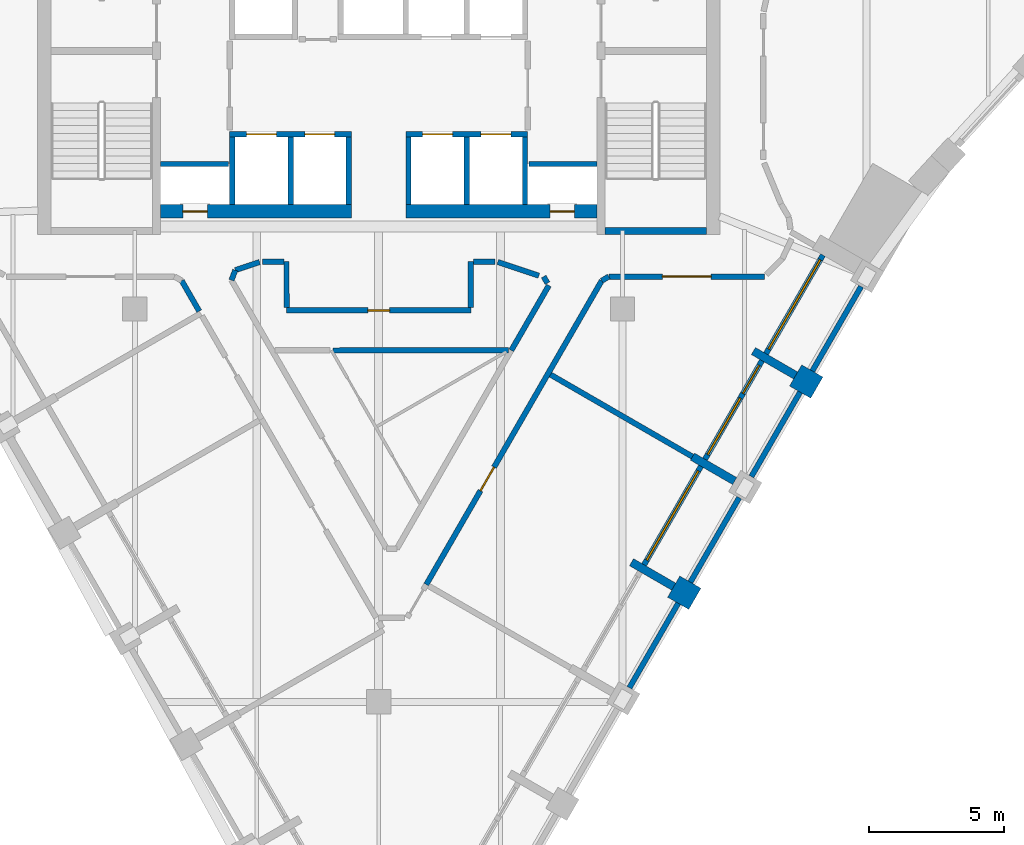
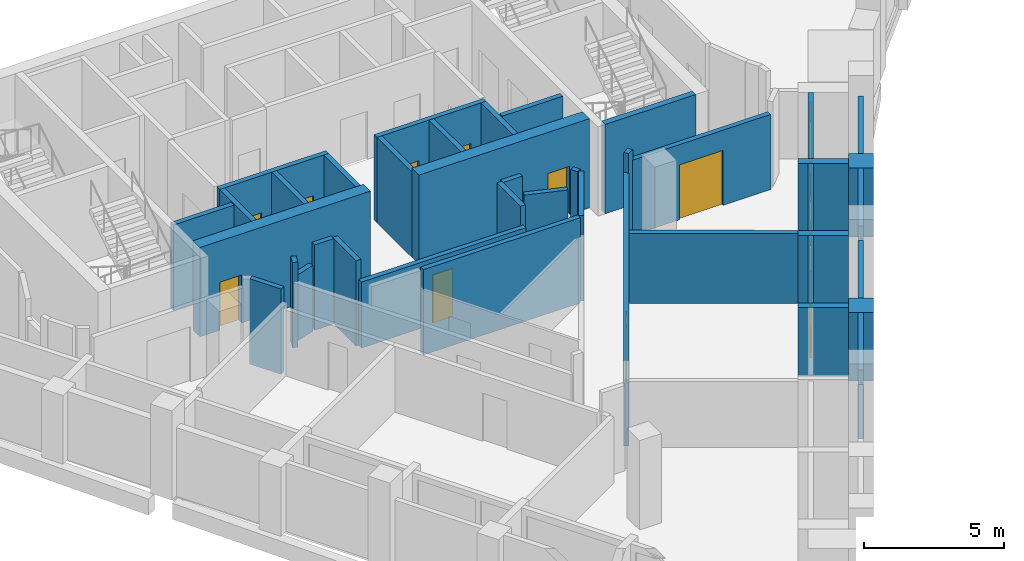
# One storey, part 4 of 8: 41 walls, 10 doors, 3 windows, 13 openings.
"""IFC4 building model written with IfcOpenShell, lengths in metres."""

import ifcopenshell
import ifcopenshell.guid

model = None  # the IFC model being written
_history = None  # IfcOwnerHistory: only IFC2X3 demands one
_inside = {}  # id of a spatial element -> (the spatial element, [elements in it])
_under = {}  # id of a project, library or spatial element -> (it, [spatial elements below it])
_declared = {}  # id of a project -> (the project, [libraries it declares])
_typed = {}  # id of a type object -> (the type object, [elements of that type])
_made_of = {}  # id of a material, layer set ... -> (it, [elements and type objects made of it])


def new_model(schema):
    """Start an empty IFC model of exactly this schema.

    Asked for "IFC4X3", IfcOpenShell would pick the latest addendum, in which some entities
    have other attributes; the version numbers below select the first issue.
    IFC2X3 requires an IfcOwnerHistory on every rooted entity: one is made here for all.
    """
    global model, _history
    if schema == "IFC4X3":
        model = ifcopenshell.file(schema_version=(4, 3, 0, 0))
    else:
        model = ifcopenshell.file(schema=schema)
    _inside.clear()
    _under.clear()
    _declared.clear()
    _typed.clear()
    _made_of.clear()
    _history = None
    if model.schema == "IFC2X3":
        org = make("IfcOrganization", Name="unknown")
        user = make(
            "IfcPersonAndOrganization",
            ThePerson=make("IfcPerson", FamilyName="unknown"),
            TheOrganization=org,
        )
        app = make(
            "IfcApplication",
            ApplicationDeveloper=org,
            Version="unknown",
            ApplicationFullName="unknown",
            ApplicationIdentifier="unknown",
        )
        _history = make(
            "IfcOwnerHistory",
            OwningUser=user,
            OwningApplication=app,
            ChangeAction="ADDED",
            CreationDate=0,
        )
    return model


def make(cls, **values):
    """One entity of the class cls with the attributes given. An attribute that is None is left unset."""
    return model.create_entity(
        cls, **{name: value for name, value in values.items() if value is not None}
    )


def rooted(cls, **values):
    """An entity with a GlobalId (a new one), such as an element, a storey or a relation."""
    return make(cls, GlobalId=ifcopenshell.guid.new(), OwnerHistory=_history, **values)


def si_unit(unit_type, name, prefix=None):
    """IfcSIUnit, for example si_unit("LENGTHUNIT", "METRE", prefix="MILLI")."""
    return make("IfcSIUnit", UnitType=unit_type, Prefix=prefix, Name=name)


def assignment(units):
    """IfcUnitAssignment: the units of a project."""
    return None if units is None else make("IfcUnitAssignment", Units=units)


def point(xyz):
    """IfcCartesianPoint."""
    return None if xyz is None else make("IfcCartesianPoint", Coordinates=xyz)


def direction(xyz):
    """IfcDirection."""
    return None if xyz is None else make("IfcDirection", DirectionRatios=xyz)


def frame(location, z_axis=None, x_axis=None):
    """IfcAxis2Placement3D, a coordinate frame: its origin and axes. An axis left out is left unset."""
    return make(
        "IfcAxis2Placement3D",
        Location=point(location),
        Axis=direction(z_axis),
        RefDirection=direction(x_axis),
    )


def frame_2d(location, x_axis=None):
    """IfcAxis2Placement2D, a coordinate frame in the plane: its origin and x axis."""
    return make(
        "IfcAxis2Placement2D", Location=point(location), RefDirection=direction(x_axis)
    )


def origin():
    """The frame at (0, 0, 0) with its axes left unset."""
    return frame((0.0, 0.0, 0.0))


def place(relative_to, where):
    """IfcLocalPlacement: puts the frame where relative to a parent placement (None: the world)."""
    return make(
        "IfcLocalPlacement", PlacementRelTo=relative_to, RelativePlacement=where
    )


def context(
    kind, dimensions, precision=None, world=None, true_north=None, identifier=None
):
    """IfcGeometricRepresentationContext, for example the 3D "Model" context."""
    return make(
        "IfcGeometricRepresentationContext",
        ContextIdentifier=identifier,
        ContextType=kind,
        CoordinateSpaceDimension=dimensions,
        Precision=precision,
        WorldCoordinateSystem=world,
        TrueNorth=true_north,
    )


def subcontext(parent, identifier, kind, view, scale=None):
    """IfcGeometricRepresentationSubContext, for example "Body" below "Model"."""
    return make(
        "IfcGeometricRepresentationSubContext",
        ContextIdentifier=identifier,
        ContextType=kind,
        ParentContext=parent,
        TargetScale=scale,
        TargetView=view,
    )


def project(units=None, contexts=None):
    """IfcProject with its units and contexts."""
    return rooted(
        "IfcProject",
        Name="project",
        RepresentationContexts=contexts,
        UnitsInContext=assignment(units),
    )


def spatial(cls, under=None, at=None, **own):
    """A site, building, storey or space (cls), placed at a placement, below another one or the project."""
    s = rooted(cls, ObjectPlacement=at, **own)
    if under is not None:
        _under.setdefault(under.id(), (under, []))[1].append(s)
    return s


def profile(cls, at=None, kind="AREA", **sizes):
    """A parametric profile (cls). Its sizes go by their IFC names, for example OverallWidth=200.0."""
    return make(cls, ProfileType=kind, Position=at, **sizes)


def rectangle(**sizes):
    """IfcRectangleProfileDef."""
    return profile("IfcRectangleProfileDef", **sizes)


def extrude(swept, where, along, depth):
    """IfcExtrudedAreaSolid: the profile swept, set in the frame where, extruded along a direction by depth."""
    return make(
        "IfcExtrudedAreaSolid",
        SweptArea=swept,
        Position=where,
        ExtrudedDirection=direction(along),
        Depth=depth,
    )


def shape(context_of_items, identifier, shape_type, items):
    """IfcShapeRepresentation: the items that make up one representation, for example the "Body"."""
    return make(
        "IfcShapeRepresentation",
        ContextOfItems=context_of_items,
        RepresentationIdentifier=identifier,
        RepresentationType=shape_type,
        Items=items,
    )


def material(Name=None, Category=None):
    """IfcMaterial."""
    return make("IfcMaterial", Name=Name, Category=Category)


def layer(
    of_material, thickness, ventilated=None, Name=None, Category=None, Priority=None
):
    """IfcMaterialLayer: one layer of a wall or slab, of a material (None: an air gap)."""
    return make(
        "IfcMaterialLayer",
        Material=of_material,
        LayerThickness=thickness,
        IsVentilated=ventilated,
        Name=Name,
        Category=Category,
        Priority=Priority,
    )


def layer_set(layers, Name=None):
    """IfcMaterialLayerSet."""
    return make("IfcMaterialLayerSet", MaterialLayers=layers, LayerSetName=Name)


def made_of(thing, what):
    """Note that an element or type object is made of a material, layer set ...; save() writes the relation."""
    if what is not None:
        _made_of.setdefault(what.id(), (what, []))[1].append(thing)
    return thing


def type_object(cls, material=None, **own):
    """A type object (cls), such as IfcWallType, which elements share."""
    return made_of(rooted(cls, **own), material)


def element(
    cls,
    number,
    at=None,
    inside=None,
    cuts=None,
    type_object=None,
    material=None,
    context=None,
    identifier="Body",
    shape_type=None,
    held_by="IfcProductDefinitionShape",
    body=None,
    shapes=None,
    **own,
):
    """One element of the class cls, such as IfcWall. Its Tag is "e" and its number.

    at: its placement. inside: the storey or other place that contains it. cuts: it is an
    opening in that element (IfcRelVoidsElement). A single representation is given by context,
    identifier, shape_type and body (its items); several are given by shapes. held_by: the class
    of the entity that holds the representations. save() writes the other relations.
    """
    e = rooted(cls, Tag="e%d" % number, ObjectPlacement=at, **own)
    if body is not None:
        shapes = [shape(context, identifier, shape_type, body)]
    if shapes is not None:
        e.Representation = make(held_by, Representations=shapes)
    if inside is not None:
        _inside.setdefault(inside.id(), (inside, []))[1].append(e)
    if cuts is not None:
        rooted(
            "IfcRelVoidsElement", RelatingBuildingElement=cuts, RelatedOpeningElement=e
        )
    if type_object is not None:
        _typed.setdefault(type_object.id(), (type_object, []))[1].append(e)
    return made_of(e, material)


def fill(opening, filler):
    """IfcRelFillsElement: the door or window that sits in an opening."""
    return rooted(
        "IfcRelFillsElement",
        RelatingOpeningElement=opening,
        RelatedBuildingElement=filler,
    )


def aggregate(whole, parts):
    """IfcRelAggregates: a whole, such as a stair, and the parts it consists of."""
    return rooted("IfcRelAggregates", RelatingObject=whole, RelatedObjects=parts)


def save(model, path):
    """Write the relations noted so far, then the file.

    IfcRelAggregates (storeys below a building ...), IfcRelContainedInSpatialStructure (elements
    in a storey), IfcRelDefinesByType, IfcRelAssociatesMaterial and IfcRelDeclares: one each for
    every whole, place, type object, material and project.
    """
    for whole, parts in _under.values():
        aggregate(whole, parts)
    for where, things in _inside.values():
        rooted(
            "IfcRelContainedInSpatialStructure",
            RelatedElements=things,
            RelatingStructure=where,
        )
    for kind, things in _typed.values():
        rooted("IfcRelDefinesByType", RelatedObjects=things, RelatingType=kind)
    for what, things in _made_of.values():
        rooted("IfcRelAssociatesMaterial", RelatedObjects=things, RelatingMaterial=what)
    for by, libraries in _declared.values():
        rooted("IfcRelDeclares", RelatingContext=by, RelatedDefinitions=libraries)
    model.write(path)


model = new_model("IFC4")

# Units and contexts
model_context = context("Model", 3, precision=1e-05, world=origin(), true_north=direction((0.0, 1.0)))
body_context = subcontext(model_context, "Body", "Model", "MODEL_VIEW")
ifc_project = project(units=[si_unit("LENGTHUNIT", "METRE"), si_unit("AREAUNIT", "SQUARE_METRE"), si_unit("VOLUMEUNIT", "CUBIC_METRE"), si_unit("PLANEANGLEUNIT", "RADIAN"), si_unit("MASSUNIT", "GRAM", prefix="KILO")], contexts=[model_context])

# Site, building, storey
site_placement = place(None, origin())
site = spatial("IfcSite", under=ifc_project, at=site_placement, CompositionType="ELEMENT")
building_placement = place(site_placement, origin())
building = spatial("IfcBuilding", under=site, at=building_placement, Name="Calabash Gate Tower", CompositionType="ELEMENT")
storey_placement = place(building_placement, frame((0.0, 0.0, 275.5)))
storey = spatial("IfcBuildingStorey", under=building, at=storey_placement, Name="L66", CompositionType="ELEMENT", Elevation=275.5)

# Walls
ifc_material_1 = material(Name="Terracotta brick masonry, exposed face", Category="masonry")
ifc_layer_1 = layer(ifc_material_1, 0.89990234375)
ifc_layer_set_1 = layer_set([ifc_layer_1], Name="Brick end wall 900")
wall_type_1 = type_object("IfcWallType", Name="Brick end wall 900", PredefinedType="SOLIDWALL", material=ifc_layer_set_1)
for number, where, z_axis, x_axis, name in (
    (1, (10.89013671875, -7.7451171875, 0.0), (0.0, 0.0, 1.0), (0.866081705922, -0.499902469156, 0.0), "Brick pier S19 SE2.3"),
    (2, (16.169677734375, -0.40087890625, 0.0), (0.0, 0.0, 1.0), (-0.866081705922, 0.499902469156, 0.0), "Brick pier S19 SE2.5"),
):
    element("IfcWall", number, at=place(storey_placement, frame(where, z_axis=z_axis, x_axis=x_axis)), inside=storey, type_object=wall_type_1, Name=name, PredefinedType="SOLIDWALL", context=body_context, shape_type="SweptSolid", body=[
        extrude(rectangle(XDim=0.900146484375, YDim=0.89990234375, at=frame_2d((0.4501953125, 0.0))), origin(), (0.0, 0.0, 1.0), 3.0),
    ])
ifc_material_2 = material(Name="Terracotta brick masonry, exposed face", Category="masonry")
ifc_layer_2 = layer(ifc_material_2, 0.300048828125)
ifc_layer_set_2 = layer_set([ifc_layer_2], Name="Brick loggia cheek wall 300")
wall_type_2 = type_object("IfcWallType", Name="Brick loggia cheek wall 300", PredefinedType="SOLIDWALL", material=ifc_layer_set_2)
for number, where, z_axis, x_axis, name in (
    (3, (10.89013671875, -7.7451171875, 0.0), (0.0, 0.0, 1.0), (-0.865989075817, 0.500062916607, 0.0), "Loggia cheek S19 SE2.3"),
    (4, (13.14013671875, -3.847900390625, 0.0), (0.0, 0.0, 1.0), (-0.866047807691, 0.499961193289, 0.0), "Loggia cheek S19 SE2.4"),
    (5, (13.831298828125, 0.94921875, 0.0), (0.0, 0.0, 1.0), (0.865989075817, -0.500062916607, 0.0), "Loggia cheek S19 SE2.5"),
):
    element("IfcWall", number, at=place(storey_placement, frame(where, z_axis=z_axis, x_axis=x_axis)), inside=storey, type_object=wall_type_2, Name=name, PredefinedType="SOLIDWALL", context=body_context, shape_type="SweptSolid", body=[
        extrude(rectangle(XDim=1.800048828125, YDim=0.300048828125, at=frame_2d((0.89990234375, 0.0))), origin(), (0.0, 0.0, 1.0), 3.0),
    ])
ifc_material_3 = material(Name="Concrete C60/75", Category="concrete")
ifc_layer_3 = layer(ifc_material_3, 0.25)
ifc_layer_set_3 = layer_set([ifc_layer_3], Name="Core wall 250 Concrete C60/75")
wall_type_3 = type_object("IfcWallType", Name="Core wall 250 Concrete C60/75", PredefinedType="SHEAR", material=ifc_layer_set_3)
wall_1_placement = place(storey_placement, frame((8.35009765625, 5.377685546875, 0.0), z_axis=(0.0, 0.0, 1.0), x_axis=(1.0, 0.0, 0.0)))
element("IfcWall", 6, at=wall_1_placement, inside=storey, type_object=wall_type_3, Name="Core wall Z5-SSE L66", PredefinedType="SHEAR", context=body_context, shape_type="SweptSolid", body=[
    extrude(rectangle(XDim=3.75, YDim=0.25, at=frame_2d((1.875, 0.0))), origin(), (0.0, 0.0, 1.0), 3.89990234375),
])

# Wall, opening, door
ifc_material_4 = material(Name="Concrete C60/75", Category="concrete")
ifc_layer_4 = layer(ifc_material_4, 0.5)
ifc_layer_set_4 = layer_set([ifc_layer_4], Name="Core wall 500 Concrete C60/75")
wall_type_4 = type_object("IfcWallType", Name="Core wall 500 Concrete C60/75", PredefinedType="SHEAR", material=ifc_layer_set_4)
wall_2_placement = place(storey_placement, frame((-8.050048828125, 6.1025390625, 0.0), z_axis=(0.0, 0.0, 1.0), x_axis=(1.0, 0.0, 0.0)))
wall_2 = element("IfcWall", 7, at=wall_2_placement, inside=storey, type_object=wall_type_4, Name="Core wall Z5-SA L66", PredefinedType="SHEAR", context=body_context, shape_type="SweptSolid", body=[
    extrude(rectangle(XDim=7.050048828125, YDim=0.5, at=frame_2d((3.52490234375, 0.0))), origin(), (0.0, 0.0, 1.0), 3.89990234375),
])
opening_1_placement = place(wall_2_placement, frame((0.824951171875, 0.0, 0.0)))
opening_1 = element("IfcOpeningElement", 8, at=opening_1_placement, cuts=wall_2, Name="Opening O11-009", PredefinedType="OPENING", context=body_context, shape_type="SweptSolid", body=[
    extrude(rectangle(XDim=0.89990234375, YDim=2.10009765625, at=frame_2d((0.449951171875, 1.050048828125))), frame((0.0, 0.260009765625, 0.0), z_axis=(0.0, -1.0, 0.0), x_axis=(1.0, 0.0, 0.0)), (0.0, 0.0, 1.0), 0.52001953125),
])
ifc_material_5 = material(Name="Steel fire door set with fire-resisting glazing", Category="steel")
door_type_1 = type_object("IfcDoorType", Name="Fire door D07 900x2100 FD90", OperationType="NOTDEFINED", PredefinedType="DOOR", material=ifc_material_5)
door_1_placement = place(opening_1_placement, origin())
door_1 = element("IfcDoor", 9, at=door_1_placement, inside=storey, type_object=door_type_1, Name="Electrical Riser W door", OperationType="SINGLE_SWING_LEFT", OverallHeight=2.10009765625, OverallWidth=0.89990234375, PredefinedType="DOOR", context=body_context, shape_type="SweptSolid", body=[
    extrude(rectangle(XDim=0.89990234375, YDim=2.10009765625, at=frame_2d((0.449951171875, 1.050048828125))), frame((0.0, 0.02490234375, 0.0), z_axis=(0.0, -1.0, 0.0), x_axis=(1.0, 0.0, 0.0)), (0.0, 0.0, 1.0), 0.050048828125),
])
fill(opening_1, door_1)

wall_3_placement = place(storey_placement, frame((1.0, 6.1025390625, 0.0), z_axis=(0.0, 0.0, 1.0), x_axis=(1.0, 0.0, 0.0)))
wall_3 = element("IfcWall", 10, at=wall_3_placement, inside=storey, type_object=wall_type_4, Name="Core wall Z5-SB L66", PredefinedType="SHEAR", context=body_context, shape_type="SweptSolid", body=[
    extrude(rectangle(XDim=7.050048828125, YDim=0.5, at=frame_2d((3.52490234375, 0.0))), origin(), (0.0, 0.0, 1.0), 3.89990234375),
])
opening_2_placement = place(wall_3_placement, frame((5.324951171875, 0.0, 0.0)))
opening_2 = element("IfcOpeningElement", 11, at=opening_2_placement, cuts=wall_3, Name="Opening O11-008", PredefinedType="OPENING", context=body_context, shape_type="SweptSolid", body=[
    extrude(rectangle(XDim=0.89990234375, YDim=2.10009765625, at=frame_2d((0.449951171875, 1.050048828125))), frame((0.0, 0.260009765625, 0.0), z_axis=(0.0, -1.0, 0.0), x_axis=(1.0, 0.0, 0.0)), (0.0, 0.0, 1.0), 0.52001953125),
])
door_2_placement = place(opening_2_placement, origin())
door_2 = element("IfcDoor", 12, at=door_2_placement, inside=storey, type_object=door_type_1, Name="Mechanical Riser E door", OperationType="SINGLE_SWING_RIGHT", OverallHeight=2.10009765625, OverallWidth=0.89990234375, PredefinedType="DOOR", context=body_context, shape_type="SweptSolid", body=[
    extrude(rectangle(XDim=0.89990234375, YDim=2.10009765625, at=frame_2d((0.449951171875, 1.050048828125))), frame((0.0, 0.02490234375, 0.0), z_axis=(0.0, -1.0, 0.0), x_axis=(1.0, 0.0, 0.0)), (0.0, 0.0, 1.0), 0.050048828125),
])
fill(opening_2, door_2)

# Walls
ifc_material_6 = material(Name="Gypsum board on steel studs, mineral wool", Category="steel")
ifc_layer_5 = layer(ifc_material_6, 0.199951171875)
ifc_layer_set_5 = layer_set([ifc_layer_5], Name="Partition 200 gypsum board EI 60")
wall_type_5 = type_object("IfcWallType", Name="Partition 200 gypsum board EI 60", PredefinedType="PARTITIONING", material=ifc_layer_set_5)
wall_4_placement = place(storey_placement, frame((6.343505859375, 0.07861328125, 0.0), z_axis=(0.0, 0.0, 1.0), x_axis=(0.865886439471, -0.500240616045, 0.0)))
element("IfcWall", 13, at=wall_4_placement, inside=storey, type_object=wall_type_5, Name="Partition", PredefinedType="PARTITIONING", context=body_context, shape_type="SweptSolid", body=[
    extrude(rectangle(XDim=6.04931640625, YDim=0.199951171875, at=frame_2d((3.024658203125, 0.0))), origin(), (0.0, 0.0, 1.0), 3.052001953125),
])
wall_5_placement = place(storey_placement, frame((-1.69189453125, 0.9716796875, 0.0), z_axis=(0.0, 0.0, 1.0), x_axis=(0.999999954692, 0.000301023466, 0.0)))
element("IfcWall", 14, at=wall_5_placement, inside=storey, type_object=wall_type_5, Name="Partition", PredefinedType="PARTITIONING", context=body_context, shape_type="SweptSolid", body=[
    extrude(rectangle(XDim=6.48828125, YDim=0.199951171875, at=frame_2d((3.244140625, 0.0))), origin(), (0.0, 0.0, 1.0), 3.72998046875),
])
wall_6_placement = place(storey_placement, frame((4.894287109375, 0.973876953125, 0.0), z_axis=(0.0, 0.0, 1.0), x_axis=(0.500549430369, 0.865707957545, 0.0)))
element("IfcWall", 15, at=wall_6_placement, inside=storey, type_object=wall_type_5, Name="Partition", PredefinedType="PARTITIONING", context=body_context, shape_type="SweptSolid", body=[
    extrude(rectangle(XDim=2.76806640625, YDim=0.199951171875, at=frame_2d((1.384033203125, 0.0))), origin(), (0.0, 0.0, 1.0), 3.72998046875),
])
wall_7_placement = place(storey_placement, frame((-7.270751953125, 3.54638671875, 0.0), z_axis=(0.0, 0.0, 1.0), x_axis=(0.499075838414, -0.866558311663, 0.0)))
element("IfcWall", 16, at=wall_7_placement, inside=storey, type_object=wall_type_5, Name="Partition", PredefinedType="PARTITIONING", context=body_context, shape_type="SweptSolid", body=[
    extrude(rectangle(XDim=1.296875, YDim=0.199951171875, at=frame_2d((0.6484375, 0.0))), origin(), (0.0, 0.0, 1.0), 3.72998046875),
])

# Wall, opening, door
wall_8_placement = place(storey_placement, frame((-3.400146484375, 2.452392578125, 0.0), z_axis=(0.0, 0.0, 1.0), x_axis=(1.0, 0.0, 0.0)))
wall_8 = element("IfcWall", 17, at=wall_8_placement, inside=storey, type_object=wall_type_5, Name="Partition", PredefinedType="PARTITIONING", context=body_context, shape_type="SweptSolid", body=[
    extrude(rectangle(XDim=6.800048828125, YDim=0.199951171875, at=frame_2d((3.39990234375, 0.0))), origin(), (0.0, 0.0, 1.0), 2.884033203125),
])
opening_3_placement = place(wall_8_placement, frame((3.0, 0.0, 0.0)))
opening_3 = element("IfcOpeningElement", 18, at=opening_3_placement, cuts=wall_8, Name="Opening 65-66-004", PredefinedType="OPENING", context=body_context, shape_type="SweptSolid", body=[
    extrude(rectangle(XDim=0.800048828125, YDim=2.10009765625, at=frame_2d((0.39990234375, 1.050048828125))), frame((0.0, 0.10986328125, 0.0), z_axis=(0.0, -1.0, 0.0), x_axis=(1.0, 0.0, 0.0)), (0.0, 0.0, 1.0), 0.219970703125),
])
ifc_material_7 = material(Name="Steel fire door set with fire-resisting glazing", Category="steel")
door_type_2 = type_object("IfcDoorType", Name="SD2 Riser access door 800x2100", OperationType="NOTDEFINED", PredefinedType="DOOR", material=ifc_material_7)
door_3_placement = place(opening_3_placement, origin())
door_3 = element("IfcDoor", 19, at=door_3_placement, inside=storey, type_object=door_type_2, Name="Riser access door", OperationType="SINGLE_SWING_LEFT", OverallHeight=2.10009765625, OverallWidth=0.800048828125, PredefinedType="DOOR", context=body_context, shape_type="SweptSolid", body=[
    extrude(rectangle(XDim=0.800048828125, YDim=2.10009765625, at=frame_2d((0.39990234375, 1.050048828125))), frame((0.0, 0.02490234375, 0.0), z_axis=(0.0, -1.0, 0.0), x_axis=(1.0, 0.0, 0.0)), (0.0, 0.0, 1.0), 0.050048828125),
])
fill(opening_3, door_3)

# Walls
wall_9_placement = place(storey_placement, frame((-3.402099609375, 4.25048828125, 0.0), z_axis=(0.0, 0.0, 1.0), x_axis=(0.001150250857, -0.999999338461, 0.0)))
element("IfcWall", 20, at=wall_9_placement, inside=storey, type_object=wall_type_5, Name="Partition", PredefinedType="PARTITIONING", context=body_context, shape_type="SweptSolid", body=[
    extrude(rectangle(XDim=1.697998046875, YDim=0.199951171875, at=frame_2d((0.84912109375, 0.0))), origin(), (0.0, 0.0, 1.0), 3.72998046875),
])
wall_10_placement = place(storey_placement, frame((6.08740234375, 3.699951171875, 0.0), z_axis=(0.0, 0.0, 1.0), x_axis=(0.503763385613, -0.863841681858, 0.0)))
element("IfcWall", 21, at=wall_10_placement, inside=storey, type_object=wall_type_5, Name="Partition", PredefinedType="PARTITIONING", context=body_context, shape_type="SweptSolid", body=[
    extrude(rectangle(XDim=0.281982421875, YDim=0.199951171875, at=frame_2d((0.14111328125, 0.0))), origin(), (0.0, 0.0, 1.0), 3.72998046875),
])

# Wall, opening, door
wall_11_placement = place(storey_placement, frame((1.757080078125, -7.668212890625, 0.0), z_axis=(0.0, 0.0, 1.0), x_axis=(0.500002084865, 0.866024200084, 0.0)))
wall_11 = element("IfcWall", 22, at=wall_11_placement, inside=storey, type_object=wall_type_5, Name="Partition", PredefinedType="PARTITIONING", context=body_context, shape_type="SweptSolid", body=[
    extrude(rectangle(XDim=12.94873046875, YDim=0.199951171875, at=frame_2d((6.474365234375, 0.0))), origin(), (0.0, 0.0, 1.0), 2.884033203125),
])
opening_4_placement = place(wall_11_placement, frame((4.0, 0.0, 0.0)))
opening_4 = element("IfcOpeningElement", 23, at=opening_4_placement, cuts=wall_11, Name="Opening 65-66-003", PredefinedType="OPENING", context=body_context, shape_type="SweptSolid", body=[
    extrude(rectangle(XDim=1.0, YDim=2.39990234375, at=frame_2d((0.5, 1.199951171875))), frame((0.0, 0.10986328125, 0.0), z_axis=(0.0, -1.0, 0.0), x_axis=(1.0, 0.0, 0.0)), (0.0, 0.0, 1.0), 0.219970703125),
])
ifc_material_8 = material(Name="Painted timber door", Category="wood")
door_type_3 = type_object("IfcDoorType", Name="OD2 Glazed office door 1000x2400", OperationType="NOTDEFINED", PredefinedType="DOOR", material=ifc_material_8)
door_4_placement = place(opening_4_placement, origin())
door_4 = element("IfcDoor", 24, at=door_4_placement, inside=storey, type_object=door_type_3, Name="Glazed office door", OperationType="SINGLE_SWING_RIGHT", OverallHeight=2.39990234375, OverallWidth=1.0, PredefinedType="DOOR", context=body_context, shape_type="SweptSolid", body=[
    extrude(rectangle(XDim=1.0, YDim=2.39990234375, at=frame_2d((0.5, 1.199951171875))), frame((0.0, 0.02490234375, 0.0), z_axis=(0.0, -1.0, 0.0), x_axis=(1.0, 0.0, 0.0)), (0.0, 0.0, 1.0), 0.050048828125),
])
fill(opening_4, door_4)

# Wall
wall_12_placement = place(storey_placement, frame((8.2314453125, 3.545654296875, 0.0), z_axis=(0.0, 0.0, 1.0), x_axis=(0.863778900898, 0.503871025524, 0.0)))
element("IfcWall", 25, at=wall_12_placement, inside=storey, type_object=wall_type_5, Name="Partition", PredefinedType="PARTITIONING", context=body_context, shape_type="SweptSolid", body=[
    extrude(rectangle(XDim=0.30517578125, YDim=0.199951171875, at=frame_2d((0.152587890625, 0.0))), origin(), (0.0, 0.0, 1.0), 3.72998046875),
])

# Wall, opening, door
wall_13_placement = place(storey_placement, frame((8.4951171875, 3.699462890625, 0.0), z_axis=(0.0, 0.0, 1.0), x_axis=(1.0, 0.0, 0.0)))
wall_13 = element("IfcWall", 26, at=wall_13_placement, inside=storey, type_object=wall_type_5, Name="Partition", PredefinedType="PARTITIONING", context=body_context, shape_type="SweptSolid", body=[
    extrude(rectangle(XDim=5.744873046875, YDim=0.199951171875, at=frame_2d((2.87255859375, 0.0))), origin(), (0.0, 0.0, 1.0), 3.2822265625),
])
opening_5_placement = place(wall_13_placement, frame((1.972412109375, 0.0, 0.0)))
opening_5 = element("IfcOpeningElement", 27, at=opening_5_placement, cuts=wall_13, Name="Opening 65-66-009", PredefinedType="OPENING", context=body_context, shape_type="SweptSolid", body=[
    extrude(rectangle(XDim=1.800048828125, YDim=2.39990234375, at=frame_2d((0.89990234375, 1.199951171875))), frame((0.0, 0.10986328125, 0.0), z_axis=(0.0, -1.0, 0.0), x_axis=(1.0, 0.0, 0.0)), (0.0, 0.0, 1.0), 0.219970703125),
])
ifc_material_9 = material(Name="Steel fire door set with fire-resisting glazing", Category="steel")
door_type_4 = type_object("IfcDoorType", Name="OD5 Open office double door 1800x2400", OperationType="NOTDEFINED", PredefinedType="DOOR", material=ifc_material_9)
door_5_placement = place(opening_5_placement, origin())
door_5 = element("IfcDoor", 28, at=door_5_placement, inside=storey, type_object=door_type_4, Name="Open office double door", OperationType="DOUBLE_DOOR_SINGLE_SWING", OverallHeight=2.39990234375, OverallWidth=1.800048828125, PredefinedType="DOOR", context=body_context, shape_type="SweptSolid", body=[
    extrude(rectangle(XDim=1.800048828125, YDim=2.39990234375, at=frame_2d((0.89990234375, 1.199951171875))), frame((0.0, 0.02490234375, 0.0), z_axis=(0.0, -1.0, 0.0), x_axis=(1.0, 0.0, 0.0)), (0.0, 0.0, 1.0), 0.050048828125),
])
fill(opening_5, door_5)

# Walls
wall_14_placement = place(storey_placement, frame((4.392578125, 4.235595703125, 0.0), z_axis=(0.0, 0.0, 1.0), x_axis=(0.948729076189, -0.316090398453, 0.0)))
element("IfcWall", 29, at=wall_14_placement, inside=storey, type_object=wall_type_5, Name="Partition", PredefinedType="PARTITIONING", context=body_context, shape_type="SweptSolid", body=[
    extrude(rectangle(XDim=1.599609375, YDim=0.199951171875, at=frame_2d((0.7998046875, 0.0))), origin(), (0.0, 0.0, 1.0), 2.884033203125),
])
wall_15_placement = place(storey_placement, frame((-5.433349609375, 3.565185546875, 0.0), z_axis=(0.0, 0.0, 1.0), x_axis=(0.354431242796, 0.93508207882, 0.0)))
element("IfcWall", 30, at=wall_15_placement, inside=storey, type_object=wall_type_5, Name="Partition", PredefinedType="PARTITIONING", context=body_context, shape_type="SweptSolid", body=[
    extrude(rectangle(XDim=0.39599609375, YDim=0.199951171875, at=frame_2d((0.197998046875, 0.0))), origin(), (0.0, 0.0, 1.0), 3.72998046875),
])
wall_16_placement = place(storey_placement, frame((-5.29296875, 3.935546875, 0.0), z_axis=(0.0, 0.0, 1.0), x_axis=(0.948709019126, 0.316150592328, 0.0)))
element("IfcWall", 31, at=wall_16_placement, inside=storey, type_object=wall_type_5, Name="Partition", PredefinedType="PARTITIONING", context=body_context, shape_type="SweptSolid", body=[
    extrude(rectangle(XDim=0.948974609375, YDim=0.199951171875, at=frame_2d((0.474609375, 0.0))), origin(), (0.0, 0.0, 1.0), 2.884033203125),
])
wall_17_placement = place(storey_placement, frame((-4.2890625, 4.25244140625, 0.0), z_axis=(0.0, 0.0, 1.0), x_axis=(0.999997642919, -0.002171210763, 0.0)))
element("IfcWall", 32, at=wall_17_placement, inside=storey, type_object=wall_type_5, Name="Partition", PredefinedType="PARTITIONING", context=body_context, shape_type="SweptSolid", body=[
    extrude(rectangle(XDim=0.787109375, YDim=0.199951171875, at=frame_2d((0.3935546875, 0.0))), origin(), (0.0, 0.0, 1.0), 3.72998046875),
])
wall_18_placement = place(storey_placement, frame((3.400146484375, 2.552490234375, 0.0), z_axis=(0.0, 0.0, 1.0), x_axis=(0.001150250857, 0.999999338461, 0.0)))
element("IfcWall", 33, at=wall_18_placement, inside=storey, type_object=wall_type_5, Name="Partition", PredefinedType="PARTITIONING", context=body_context, shape_type="SweptSolid", body=[
    extrude(rectangle(XDim=1.697998046875, YDim=0.199951171875, at=frame_2d((0.84912109375, 0.0))), origin(), (0.0, 0.0, 1.0), 3.72998046875),
])
wall_19_placement = place(storey_placement, frame((3.501953125, 4.250732421875, 0.0), z_axis=(0.0, 0.0, 1.0), x_axis=(0.999997642919, 0.002171210763, 0.0)))
element("IfcWall", 34, at=wall_19_placement, inside=storey, type_object=wall_type_5, Name="Partition", PredefinedType="PARTITIONING", context=body_context, shape_type="SweptSolid", body=[
    extrude(rectangle(XDim=0.787109375, YDim=0.199951171875, at=frame_2d((0.3935546875, 0.0))), origin(), (0.0, 0.0, 1.0), 3.72998046875),
])
ifc_material_10 = material(Name="Concrete C40/50", Category="concrete")
ifc_layer_6 = layer(ifc_material_10, 0.199951171875)
ifc_layer_set_6 = layer_set([ifc_layer_6], Name="Shaft wall 200 Concrete C40/50")
wall_type_6 = type_object("IfcWallType", Name="Shaft wall 200 Concrete C40/50", PredefinedType="SOLIDWALL", material=ifc_layer_set_6)
for number, where, z_axis, x_axis, name in (
    (35, (-5.39990234375, 6.3525390625, 0.0), (0.0, 0.0, 1.0), (0.0, 1.0, 0.0), "Shaft wall"),
    (36, (-3.25, 6.3525390625, 0.0), (0.0, 0.0, 1.0), (0.0, 1.0, 0.0), "Shaft wall"),
    (37, (-1.10009765625, 6.3525390625, 0.0), (0.0, 0.0, 1.0), (0.0, 1.0, 0.0), "Shaft wall"),
    (38, (1.10009765625, 6.3525390625, 0.0), (0.0, 0.0, 1.0), (0.0, 1.0, 0.0), "Shaft wall"),
    (39, (3.25, 6.3525390625, 0.0), (0.0, 0.0, 1.0), (0.0, 1.0, 0.0), "Shaft wall"),
    (40, (5.39990234375, 6.3525390625, 0.0), (0.0, 0.0, 1.0), (0.0, 1.0, 0.0), "Shaft wall"),
    (41, (-8.050048828125, 7.8525390625, 0.0), (0.0, 0.0, 1.0), (1.0, 0.0, 0.0), "Shaft wall"),
    (42, (5.550048828125, 7.8525390625, 0.0), (0.0, 0.0, 1.0), (1.0, 0.0, 0.0), "Shaft wall"),
):
    element("IfcWall", number, at=place(storey_placement, frame(where, z_axis=z_axis, x_axis=x_axis)), inside=storey, type_object=wall_type_6, Name=name, PredefinedType="SOLIDWALL", context=body_context, shape_type="SweptSolid", body=[
        extrude(rectangle(XDim=2.5, YDim=0.199951171875, at=frame_2d((1.25, 0.0))), origin(), (0.0, 0.0, 1.0), 3.72998046875),
    ])

# Wall, openings, doors
wall_20_placement = place(storey_placement, frame((-5.5, 8.95263671875, 0.0), z_axis=(0.0, 0.0, 1.0), x_axis=(1.0, 0.0, 0.0)))
wall_20 = element("IfcWall", 43, at=wall_20_placement, inside=storey, type_object=wall_type_6, Name="Shaft wall", PredefinedType="SOLIDWALL", context=body_context, shape_type="SweptSolid", body=[
    extrude(rectangle(XDim=4.5, YDim=0.199951171875, at=frame_2d((2.25, 0.0))), origin(), (0.0, 0.0, 1.0), 3.72998046875),
])
opening_6_placement = place(wall_20_placement, frame((0.625, 0.0, 0.0)))
opening_6 = element("IfcOpeningElement", 44, at=opening_6_placement, cuts=wall_20, Name="Opening LD-HR1", PredefinedType="OPENING", context=body_context, shape_type="SweptSolid", body=[
    extrude(rectangle(XDim=1.10009765625, YDim=2.10009765625, at=frame_2d((0.550048828125, 1.050048828125))), frame((0.0, 0.10986328125, 0.0), z_axis=(0.0, -1.0, 0.0), x_axis=(1.0, 0.0, 0.0)), (0.0, 0.0, 1.0), 0.219970703125),
])
opening_7_placement = place(wall_20_placement, frame((2.77490234375, 0.0, 0.0)))
opening_7 = element("IfcOpeningElement", 45, at=opening_7_placement, cuts=wall_20, Name="Opening LD-HR2", PredefinedType="OPENING", context=body_context, shape_type="SweptSolid", body=[
    extrude(rectangle(XDim=1.10009765625, YDim=2.10009765625, at=frame_2d((0.550048828125, 1.050048828125))), frame((0.0, 0.10986328125, 0.0), z_axis=(0.0, -1.0, 0.0), x_axis=(1.0, 0.0, 0.0)), (0.0, 0.0, 1.0), 0.219970703125),
])
ifc_material_11 = material(Name="Stainless steel sliding door leaves", Category="steel")
door_type_5 = type_object("IfcDoorType", Name="Lift landing door LS1 1100x2100 FD90", OperationType="DOUBLE_DOOR_SLIDING", PredefinedType="DOOR", material=ifc_material_11)
door_6_placement = place(opening_6_placement, origin())
door_6 = element("IfcDoor", 46, at=door_6_placement, inside=storey, type_object=door_type_5, Name="Lift landing door HR1", OperationType="DOUBLE_DOOR_SLIDING", OverallHeight=2.10009765625, OverallWidth=1.10009765625, PredefinedType="DOOR", context=body_context, shape_type="SweptSolid", body=[
    extrude(rectangle(XDim=1.10009765625, YDim=2.10009765625, at=frame_2d((0.550048828125, 1.050048828125))), frame((0.0, 0.02490234375, 0.0), z_axis=(0.0, -1.0, 0.0), x_axis=(1.0, 0.0, 0.0)), (0.0, 0.0, 1.0), 0.050048828125),
])
fill(opening_6, door_6)
door_7_placement = place(opening_7_placement, origin())
door_7 = element("IfcDoor", 47, at=door_7_placement, inside=storey, type_object=door_type_5, Name="Lift landing door HR2", OperationType="DOUBLE_DOOR_SLIDING", OverallHeight=2.10009765625, OverallWidth=1.10009765625, PredefinedType="DOOR", context=body_context, shape_type="SweptSolid", body=[
    extrude(rectangle(XDim=1.10009765625, YDim=2.10009765625, at=frame_2d((0.550048828125, 1.050048828125))), frame((0.0, 0.02490234375, 0.0), z_axis=(0.0, -1.0, 0.0), x_axis=(1.0, 0.0, 0.0)), (0.0, 0.0, 1.0), 0.050048828125),
])
fill(opening_7, door_7)

wall_21_placement = place(storey_placement, frame((1.0, 8.95263671875, 0.0), z_axis=(0.0, 0.0, 1.0), x_axis=(1.0, 0.0, 0.0)))
wall_21 = element("IfcWall", 48, at=wall_21_placement, inside=storey, type_object=wall_type_6, Name="Shaft wall", PredefinedType="SOLIDWALL", context=body_context, shape_type="SweptSolid", body=[
    extrude(rectangle(XDim=4.5, YDim=0.199951171875, at=frame_2d((2.25, 0.0))), origin(), (0.0, 0.0, 1.0), 3.72998046875),
])
opening_8_placement = place(wall_21_placement, frame((0.625, 0.0, 0.0)))
opening_8 = element("IfcOpeningElement", 49, at=opening_8_placement, cuts=wall_21, Name="Opening LD-HR3", PredefinedType="OPENING", context=body_context, shape_type="SweptSolid", body=[
    extrude(rectangle(XDim=1.10009765625, YDim=2.10009765625, at=frame_2d((0.550048828125, 1.050048828125))), frame((0.0, 0.10986328125, 0.0), z_axis=(0.0, -1.0, 0.0), x_axis=(1.0, 0.0, 0.0)), (0.0, 0.0, 1.0), 0.219970703125),
])
opening_9_placement = place(wall_21_placement, frame((2.77490234375, 0.0, 0.0)))
opening_9 = element("IfcOpeningElement", 50, at=opening_9_placement, cuts=wall_21, Name="Opening LD-HR4", PredefinedType="OPENING", context=body_context, shape_type="SweptSolid", body=[
    extrude(rectangle(XDim=1.10009765625, YDim=2.10009765625, at=frame_2d((0.550048828125, 1.050048828125))), frame((0.0, 0.10986328125, 0.0), z_axis=(0.0, -1.0, 0.0), x_axis=(1.0, 0.0, 0.0)), (0.0, 0.0, 1.0), 0.219970703125),
])
door_8_placement = place(opening_8_placement, origin())
door_8 = element("IfcDoor", 51, at=door_8_placement, inside=storey, type_object=door_type_5, Name="Lift landing door HR3", OperationType="DOUBLE_DOOR_SLIDING", OverallHeight=2.10009765625, OverallWidth=1.10009765625, PredefinedType="DOOR", context=body_context, shape_type="SweptSolid", body=[
    extrude(rectangle(XDim=1.10009765625, YDim=2.10009765625, at=frame_2d((0.550048828125, 1.050048828125))), frame((0.0, 0.02490234375, 0.0), z_axis=(0.0, -1.0, 0.0), x_axis=(1.0, 0.0, 0.0)), (0.0, 0.0, 1.0), 0.050048828125),
])
fill(opening_8, door_8)
door_9_placement = place(opening_9_placement, origin())
door_9 = element("IfcDoor", 52, at=door_9_placement, inside=storey, type_object=door_type_5, Name="Lift landing door HR4", OperationType="DOUBLE_DOOR_SLIDING", OverallHeight=2.10009765625, OverallWidth=1.10009765625, PredefinedType="DOOR", context=body_context, shape_type="SweptSolid", body=[
    extrude(rectangle(XDim=1.10009765625, YDim=2.10009765625, at=frame_2d((0.550048828125, 1.050048828125))), frame((0.0, 0.02490234375, 0.0), z_axis=(0.0, -1.0, 0.0), x_axis=(1.0, 0.0, 0.0)), (0.0, 0.0, 1.0), 0.050048828125),
])
fill(opening_9, door_9)

# Walls
ifc_material_12 = material(Name="Terracotta brick masonry, perforated", Category="masonry")
ifc_layer_7 = layer(ifc_material_12, 0.199951171875)
ifc_layer_set_7 = layer_set([ifc_layer_7], Name="Terracotta jaali screen A")
wall_type_7 = type_object("IfcWallType", Name="Terracotta jaali screen A", PredefinedType="SOLIDWALL", material=ifc_layer_set_7)
for number, where, z_axis, x_axis, name in (
    (53, (9.2548828125, -11.4775390625, 0.0), (0.0, 0.0, 1.0), (0.500012057535, 0.866018442252, 0.0), "SCREEN A S19 SE2.3"),
    (54, (11.5048828125, -7.580322265625, 0.0), (0.0, 0.0, 1.0), (0.500012057535, 0.866018442252, 0.0), "SCREEN A S19 SE2.4"),
):
    element("IfcWall", number, at=place(storey_placement, frame(where, z_axis=z_axis, x_axis=x_axis)), inside=storey, type_object=wall_type_7, Name=name, PredefinedType="SOLIDWALL", context=body_context, shape_type="SweptSolid", body=[
        extrude(rectangle(XDim=3.60009765625, YDim=0.199951171875, at=frame_2d((1.800048828125, 0.0))), origin(), (0.0, 0.0, 1.0), 3.0),
    ])
wall_22_placement = place(storey_placement, frame((13.7548828125, -3.683349609375, 0.0), z_axis=(0.0, 0.0, 1.0), x_axis=(0.499982693035, 0.866035395735, 0.0)))
element("IfcWall", 55, at=wall_22_placement, inside=storey, type_object=wall_type_7, Name="SCREEN A S19 SE2.5", PredefinedType="SOLIDWALL", context=body_context, shape_type="SweptSolid", body=[
    extrude(rectangle(XDim=3.600341796875, YDim=0.199951171875, at=frame_2d((1.80029296875, 0.0))), origin(), (0.0, 0.0, 1.0), 3.0),
])
wall_23_placement = place(storey_placement, frame((16.0048828125, 0.2138671875, 0.0), z_axis=(0.0, 0.0, 1.0), x_axis=(0.500012057535, 0.866018442252, 0.0)))
element("IfcWall", 56, at=wall_23_placement, inside=storey, type_object=wall_type_7, Name="SCREEN A S19 SE2.6", PredefinedType="SOLIDWALL", context=body_context, shape_type="SweptSolid", body=[
    extrude(rectangle(XDim=3.60009765625, YDim=0.199951171875, at=frame_2d((1.800048828125, 0.0))), origin(), (0.0, 0.0, 1.0), 3.0),
])

# Wall, opening, window
ifc_material_13 = material(Name="Aluminium framed window wall with insulated spandrel", Category="aluminium")
ifc_layer_8 = layer(ifc_material_13, 0.199951171875)
ifc_layer_set_8 = layer_set([ifc_layer_8], Name="Window wall 200")
wall_type_8 = type_object("IfcWallType", Name="Window wall 200", PredefinedType="ELEMENTEDWALL", material=ifc_layer_set_8)
wall_24_placement = place(storey_placement, frame((9.796142578125, -6.940185546875, 0.0), z_axis=(0.0, 0.0, 1.0), x_axis=(0.499958946799, 0.866049104564, 0.0)))
wall_24 = element("IfcWall", 57, at=wall_24_placement, inside=storey, type_object=wall_type_8, Name="Window wall S19 SE2.4", PredefinedType="ELEMENTEDWALL", context=body_context, shape_type="SweptSolid", body=[
    extrude(rectangle(XDim=4.199951171875, YDim=0.199951171875, at=frame_2d((2.10009765625, 0.0))), origin(), (0.0, 0.0, 1.0), 3.0),
])
opening_10_placement = place(wall_24_placement, frame((0.199951171875, 0.0, 0.449951171875)))
opening_10 = element("IfcOpeningElement", 58, at=opening_10_placement, cuts=wall_24, Name="Opening OW2", PredefinedType="OPENING", context=body_context, shape_type="SweptSolid", body=[
    extrude(rectangle(XDim=3.800048828125, YDim=2.25, at=frame_2d((1.89990234375, 1.125))), frame((0.0, 0.10986328125, 0.0), z_axis=(0.0, -1.0, 0.0), x_axis=(1.0, 0.0, 0.0)), (0.0, 0.0, 1.0), 0.219970703125),
])
ifc_material_14 = material(Name="Anodised aluminium frame, bronze finish, impact-rated laminated clear glazing", Category="aluminium")
window_type_1 = type_object("IfcWindowType", Name="Window OW2 3800x2250", PartitioningType="TRIPLE_PANEL_VERTICAL", PredefinedType="WINDOW", material=ifc_material_14)
window_1_placement = place(opening_10_placement, origin())
window_1 = element("IfcWindow", 59, at=window_1_placement, inside=storey, type_object=window_type_1, Name="Window OW2 S19 SE2.4", OverallHeight=2.25, OverallWidth=3.800048828125, PartitioningType="SINGLE_PANEL", PredefinedType="WINDOW", context=body_context, shape_type="SweptSolid", body=[
    extrude(rectangle(XDim=3.800048828125, YDim=2.25, at=frame_2d((1.89990234375, 1.125))), frame((0.0, 0.030029296875, 0.0), z_axis=(0.0, -1.0, 0.0), x_axis=(1.0, 0.0, 0.0)), (0.0, 0.0, 1.0), 0.06005859375),
])
fill(opening_10, window_1)

# Wall, openings, door, window
wall_25_placement = place(storey_placement, frame((12.046142578125, -3.04296875, 0.0), z_axis=(0.0, 0.0, 1.0), x_axis=(0.49998411664, 0.866034573852, 0.0)))
wall_25 = element("IfcWall", 60, at=wall_25_placement, inside=storey, type_object=wall_type_8, Name="Window wall S19 SE2.5", PredefinedType="ELEMENTEDWALL", context=body_context, shape_type="SweptSolid", body=[
    extrude(rectangle(XDim=4.199951171875, YDim=0.199951171875, at=frame_2d((2.10009765625, 0.0))), origin(), (0.0, 0.0, 1.0), 3.0),
])
opening_11_placement = place(wall_25_placement, frame((0.199951171875, 0.0, 0.449951171875)))
opening_11 = element("IfcOpeningElement", 61, at=opening_11_placement, cuts=wall_25, Name="Opening OW1", PredefinedType="OPENING", context=body_context, shape_type="SweptSolid", body=[
    extrude(rectangle(XDim=2.39990234375, YDim=2.25, at=frame_2d((1.199951171875, 1.125))), frame((0.0, 0.10986328125, 0.0), z_axis=(0.0, -1.0, 0.0), x_axis=(1.0, 0.0, 0.0)), (0.0, 0.0, 1.0), 0.219970703125),
])
opening_12_placement = place(wall_25_placement, frame((2.800048828125, 0.0, 0.0)))
opening_12 = element("IfcOpeningElement", 62, at=opening_12_placement, cuts=wall_25, Name="Opening O11-017", PredefinedType="OPENING", context=body_context, shape_type="SweptSolid", body=[
    extrude(rectangle(XDim=1.199951171875, YDim=2.699951171875, at=frame_2d((0.60009765625, 1.35009765625))), frame((0.0, 0.10986328125, 0.0), z_axis=(0.0, -1.0, 0.0), x_axis=(1.0, 0.0, 0.0)), (0.0, 0.0, 1.0), 0.219970703125),
])
ifc_material_15 = material(Name="Anodised aluminium frame, bronze finish, impact-rated laminated clear glazing", Category="aluminium")
door_type_6 = type_object("IfcDoorType", Name="Loggia door DO1 1200x2700", OperationType="SLIDING_TO_LEFT", PredefinedType="DOOR", material=ifc_material_15)
door_10_placement = place(opening_12_placement, origin())
door_10 = element("IfcDoor", 63, at=door_10_placement, inside=storey, type_object=door_type_6, Name="Loggia door S19 SE2.5", OperationType="SINGLE_SWING_LEFT", OverallHeight=2.699951171875, OverallWidth=1.199951171875, PredefinedType="DOOR", context=body_context, shape_type="SweptSolid", body=[
    extrude(rectangle(XDim=1.199951171875, YDim=2.699951171875, at=frame_2d((0.60009765625, 1.35009765625))), frame((0.0, 0.02490234375, 0.0), z_axis=(0.0, -1.0, 0.0), x_axis=(1.0, 0.0, 0.0)), (0.0, 0.0, 1.0), 0.050048828125),
])
fill(opening_12, door_10)
ifc_material_16 = material(Name="Anodised aluminium frame, bronze finish, impact-rated laminated clear glazing", Category="aluminium")
window_type_2 = type_object("IfcWindowType", Name="Window OW1 2400x2250", PartitioningType="DOUBLE_PANEL_VERTICAL", PredefinedType="WINDOW", material=ifc_material_16)
window_2_placement = place(opening_11_placement, origin())
window_2 = element("IfcWindow", 64, at=window_2_placement, inside=storey, type_object=window_type_2, Name="Window OW1 S19 SE2.5", OverallHeight=2.25, OverallWidth=2.39990234375, PartitioningType="SINGLE_PANEL", PredefinedType="WINDOW", context=body_context, shape_type="SweptSolid", body=[
    extrude(rectangle(XDim=2.39990234375, YDim=2.25, at=frame_2d((1.199951171875, 1.125))), frame((0.0, 0.030029296875, 0.0), z_axis=(0.0, -1.0, 0.0), x_axis=(1.0, 0.0, 0.0)), (0.0, 0.0, 1.0), 0.06005859375),
])
fill(opening_11, window_2)

# Wall, opening, window
wall_26_placement = place(storey_placement, frame((14.296142578125, 0.85400390625, 0.0), z_axis=(0.0, 0.0, 1.0), x_axis=(0.499958946799, 0.866049104564, 0.0)))
wall_26 = element("IfcWall", 65, at=wall_26_placement, inside=storey, type_object=wall_type_8, Name="Window wall S19 SE2.6", PredefinedType="ELEMENTEDWALL", context=body_context, shape_type="SweptSolid", body=[
    extrude(rectangle(XDim=4.199951171875, YDim=0.199951171875, at=frame_2d((2.10009765625, 0.0))), origin(), (0.0, 0.0, 1.0), 2.9501953125),
])
opening_13_placement = place(wall_26_placement, frame((0.199951171875, 0.0, 0.449951171875)))
opening_13 = element("IfcOpeningElement", 66, at=opening_13_placement, cuts=wall_26, Name="Opening OW2", PredefinedType="OPENING", context=body_context, shape_type="SweptSolid", body=[
    extrude(rectangle(XDim=3.800048828125, YDim=2.25, at=frame_2d((1.89990234375, 1.125))), frame((0.0, 0.10986328125, 0.0), z_axis=(0.0, -1.0, 0.0), x_axis=(1.0, 0.0, 0.0)), (0.0, 0.0, 1.0), 0.219970703125),
])
window_3_placement = place(opening_13_placement, origin())
window_3 = element("IfcWindow", 67, at=window_3_placement, inside=storey, type_object=window_type_1, Name="Window OW2 S19 SE2.6", OverallHeight=2.25, OverallWidth=3.800048828125, PartitioningType="SINGLE_PANEL", PredefinedType="WINDOW", context=body_context, shape_type="SweptSolid", body=[
    extrude(rectangle(XDim=3.800048828125, YDim=2.25, at=frame_2d((1.89990234375, 1.125))), frame((0.0, 0.030029296875, 0.0), z_axis=(0.0, -1.0, 0.0), x_axis=(1.0, 0.0, 0.0)), (0.0, 0.0, 1.0), 0.06005859375),
])
fill(opening_13, window_3)

save(model, "model.ifc")
